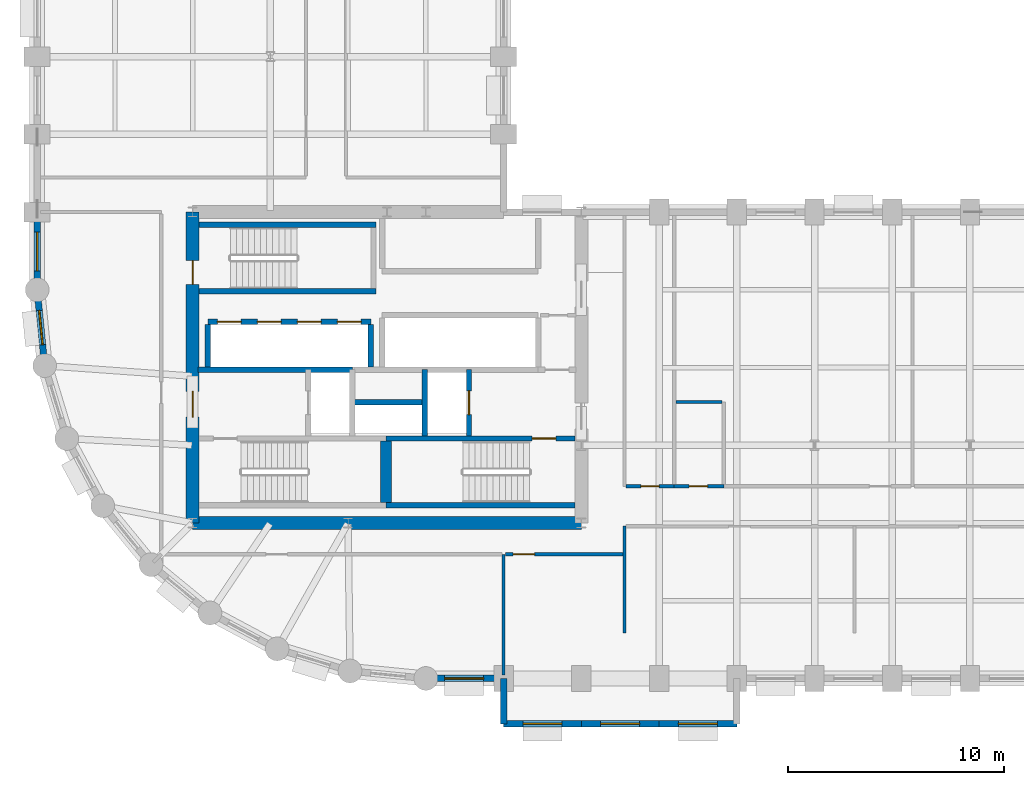
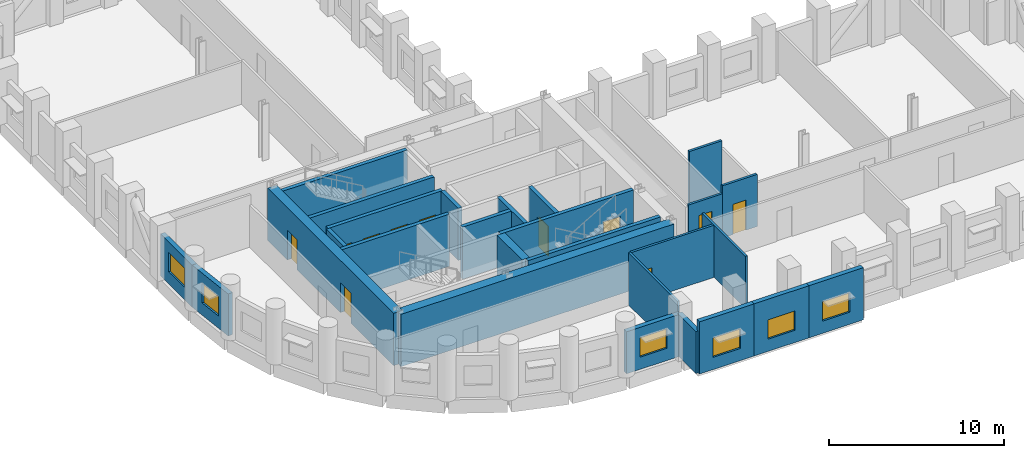
# One storey, part 6 of 12: 27 walls, 11 doors, 6 windows, 17 openings.
"""IFC4 building model written with IfcOpenShell, lengths in metres."""

from ifc_helpers import new_model, si_unit, direction, frame, frame_2d, origin, place, context, subcontext, project, spatial, rectangle, extrude, material, layer, layer_set, type_object, element, fill, save


model = new_model("IFC4")

# Units and contexts
model_context = context("Model", 3, precision=1e-05, world=origin(), true_north=direction((0.0, 1.0)))
body_context = subcontext(model_context, "Body", "Model", "MODEL_VIEW")
ifc_project = project(units=[si_unit("LENGTHUNIT", "METRE"), si_unit("AREAUNIT", "SQUARE_METRE"), si_unit("VOLUMEUNIT", "CUBIC_METRE"), si_unit("PLANEANGLEUNIT", "RADIAN"), si_unit("MASSUNIT", "GRAM", prefix="KILO")], contexts=[model_context])

# Site, building, storey
site_placement = place(None, origin())
site = spatial("IfcSite", under=ifc_project, at=site_placement, CompositionType="ELEMENT")
building_placement = place(site_placement, origin())
building = spatial("IfcBuilding", under=site, at=building_placement, Name="Solnavia Interchange Tower", CompositionType="ELEMENT")
storey_placement = place(building_placement, frame((0.0, 0.0, 31.800048828125)))
storey = spatial("IfcBuildingStorey", under=building, at=storey_placement, Name="L07", CompositionType="ELEMENT", Elevation=31.800048828125)

# Wall, opening, window
ifc_material_1 = material(Name="Concrete C40/50", Category="concrete")
ifc_layer_1 = layer(ifc_material_1, 0.300048828125)
ifc_layer_set_1 = layer_set([ifc_layer_1], Name="Concrete C40/50")
wall_type_1 = type_object("IfcWallType", Name="Wall-ExtSpandrel-300", PredefinedType="STANDARD", material=ifc_layer_set_1)
wall_1_placement = place(storey_placement, frame((28.800048828125, 3.60009765625, 0.0), z_axis=(0.0, 0.0, 1.0), x_axis=(-1.0, 0.0, 0.0)))
wall_1 = element("IfcWall", 1, at=wall_1_placement, inside=storey, type_object=wall_type_1, Name="EXW-L07-01 Exterior precast spandrel wall", PredefinedType="STANDARD", context=body_context, shape_type="SweptSolid", body=[
    extrude(rectangle(XDim=3.60009765625, YDim=0.300048828125, at=frame_2d((1.800048828125, 0.0))), origin(), (0.0, 0.0, 1.0), 2.929931640625),
])
opening_1_placement = place(wall_1_placement, frame((0.925048828125, 0.0, 0.85009765625)))
opening_1 = element("IfcOpeningElement", 2, at=opening_1_placement, cuts=wall_1, Name="Opening WIN-02", PredefinedType="OPENING", context=body_context, shape_type="SweptSolid", body=[
    extrude(rectangle(XDim=1.800048828125, YDim=1.35009765625, at=frame_2d((0.89990234375, 0.675048828125))), frame((0.0, 0.16015625, 0.0), z_axis=(0.0, -1.0, 0.0), x_axis=(1.0, 0.0, 0.0)), (0.0, 0.0, 1.0), 0.320068359375),
])
ifc_material_2 = material(Name="Thermal-Break Aluminium & Low-E Glass", Category="aluminium")
window_type_1 = type_object("IfcWindowType", Name="Window-Ribbon-1800x1350", PartitioningType="SINGLE_PANEL", PredefinedType="WINDOW", material=ifc_material_2)
window_1_placement = place(opening_1_placement, origin())
window_1 = element("IfcWindow", 3, at=window_1_placement, inside=storey, type_object=window_type_1, Name="WIN-L07-01 Facade ribbon window", OverallHeight=1.35009765625, OverallWidth=1.800048828125, PartitioningType="SINGLE_PANEL", PredefinedType="WINDOW", context=body_context, shape_type="SweptSolid", body=[
    extrude(rectangle(XDim=1.800048828125, YDim=1.35009765625, at=frame_2d((0.89990234375, 0.675048828125))), frame((0.0, 0.030029296875, 0.0), z_axis=(0.0, -1.0, 0.0), x_axis=(1.0, 0.0, 0.0)), (0.0, 0.0, 1.0), 0.06005859375),
])
fill(opening_1, window_1)

# Wall
wall_2_placement = place(storey_placement, frame((28.800048828125, 1.5, 0.0), z_axis=(0.0, 0.0, 1.0), x_axis=(0.0, 1.0, 0.0)))
element("IfcWall", 4, at=wall_2_placement, inside=storey, type_object=wall_type_1, Name="EXW-L07-02 Exterior precast spandrel wall", PredefinedType="STANDARD", context=body_context, shape_type="SweptSolid", body=[
    extrude(rectangle(XDim=2.10009765625, YDim=0.300048828125, at=frame_2d((1.050048828125, 0.0))), origin(), (0.0, 0.0, 1.0), 2.929931640625),
])

# Wall, opening, window
wall_3_placement = place(storey_placement, frame((32.39990234375, 1.5, 0.0), z_axis=(0.0, 0.0, 1.0), x_axis=(-1.0, 0.0, 0.0)))
wall_3 = element("IfcWall", 5, at=wall_3_placement, inside=storey, type_object=wall_type_1, Name="EXW-L07-03 Exterior precast spandrel wall", PredefinedType="STANDARD", context=body_context, shape_type="SweptSolid", body=[
    extrude(rectangle(XDim=3.599853515625, YDim=0.300048828125, at=frame_2d((1.7998046875, 0.0))), origin(), (0.0, 0.0, 1.0), 3.635009765625),
])
opening_2_placement = place(wall_3_placement, frame((0.89990234375, 0.0, 0.85009765625)))
opening_2 = element("IfcOpeningElement", 6, at=opening_2_placement, cuts=wall_3, Name="Opening WIN-02", PredefinedType="OPENING", context=body_context, shape_type="SweptSolid", body=[
    extrude(rectangle(XDim=1.800048828125, YDim=1.35009765625, at=frame_2d((0.89990234375, 0.675048828125))), frame((0.0, 0.16015625, 0.0), z_axis=(0.0, -1.0, 0.0), x_axis=(1.0, 0.0, 0.0)), (0.0, 0.0, 1.0), 0.320068359375),
])
window_2_placement = place(opening_2_placement, origin())
window_2 = element("IfcWindow", 7, at=window_2_placement, inside=storey, type_object=window_type_1, Name="WIN-L07-03 Facade ribbon window", OverallHeight=1.35009765625, OverallWidth=1.800048828125, PartitioningType="SINGLE_PANEL", PredefinedType="WINDOW", context=body_context, shape_type="SweptSolid", body=[
    extrude(rectangle(XDim=1.800048828125, YDim=1.35009765625, at=frame_2d((0.89990234375, 0.675048828125))), frame((0.0, 0.030029296875, 0.0), z_axis=(0.0, -1.0, 0.0), x_axis=(1.0, 0.0, 0.0)), (0.0, 0.0, 1.0), 0.06005859375),
])
fill(opening_2, window_2)

wall_4_placement = place(storey_placement, frame((36.0, 1.5, 0.0), z_axis=(0.0, 0.0, 1.0), x_axis=(-1.0, 0.0, 0.0)))
wall_4 = element("IfcWall", 8, at=wall_4_placement, inside=storey, type_object=wall_type_1, Name="EXW-L07-04 Exterior precast spandrel wall", PredefinedType="STANDARD", context=body_context, shape_type="SweptSolid", body=[
    extrude(rectangle(XDim=3.60009765625, YDim=0.300048828125, at=frame_2d((1.800048828125, 0.0))), origin(), (0.0, 0.0, 1.0), 3.635009765625),
])
opening_3_placement = place(wall_4_placement, frame((0.89990234375, 0.0, 0.85009765625)))
opening_3 = element("IfcOpeningElement", 9, at=opening_3_placement, cuts=wall_4, Name="Opening WIN-02", PredefinedType="OPENING", context=body_context, shape_type="SweptSolid", body=[
    extrude(rectangle(XDim=1.800048828125, YDim=1.35009765625, at=frame_2d((0.89990234375, 0.675048828125))), frame((0.0, 0.16015625, 0.0), z_axis=(0.0, -1.0, 0.0), x_axis=(1.0, 0.0, 0.0)), (0.0, 0.0, 1.0), 0.320068359375),
])
window_3_placement = place(opening_3_placement, origin())
window_3 = element("IfcWindow", 10, at=window_3_placement, inside=storey, type_object=window_type_1, Name="WIN-L07-04 Facade ribbon window", OverallHeight=1.35009765625, OverallWidth=1.800048828125, PartitioningType="SINGLE_PANEL", PredefinedType="WINDOW", context=body_context, shape_type="SweptSolid", body=[
    extrude(rectangle(XDim=1.800048828125, YDim=1.35009765625, at=frame_2d((0.89990234375, 0.675048828125))), frame((0.0, 0.030029296875, 0.0), z_axis=(0.0, -1.0, 0.0), x_axis=(1.0, 0.0, 0.0)), (0.0, 0.0, 1.0), 0.06005859375),
])
fill(opening_3, window_3)

wall_5_placement = place(storey_placement, frame((39.60009765625, 1.5, 0.0), z_axis=(0.0, 0.0, 1.0), x_axis=(-1.0, 0.0, 0.0)))
wall_5 = element("IfcWall", 11, at=wall_5_placement, inside=storey, type_object=wall_type_1, Name="EXW-L07-05 Exterior precast spandrel wall", PredefinedType="STANDARD", context=body_context, shape_type="SweptSolid", body=[
    extrude(rectangle(XDim=3.60009765625, YDim=0.300048828125, at=frame_2d((1.800048828125, 0.0))), origin(), (0.0, 0.0, 1.0), 3.635009765625),
])
opening_4_placement = place(wall_5_placement, frame((0.89990234375, 0.0, 0.85009765625)))
opening_4 = element("IfcOpeningElement", 12, at=opening_4_placement, cuts=wall_5, Name="Opening WIN-02", PredefinedType="OPENING", context=body_context, shape_type="SweptSolid", body=[
    extrude(rectangle(XDim=1.800048828125, YDim=1.35009765625, at=frame_2d((0.89990234375, 0.675048828125))), frame((0.0, 0.16015625, 0.0), z_axis=(0.0, -1.0, 0.0), x_axis=(1.0, 0.0, 0.0)), (0.0, 0.0, 1.0), 0.320068359375),
])
window_4_placement = place(opening_4_placement, origin())
window_4 = element("IfcWindow", 13, at=window_4_placement, inside=storey, type_object=window_type_1, Name="WIN-L07-05 Facade ribbon window", OverallHeight=1.35009765625, OverallWidth=1.800048828125, PartitioningType="SINGLE_PANEL", PredefinedType="WINDOW", context=body_context, shape_type="SweptSolid", body=[
    extrude(rectangle(XDim=1.800048828125, YDim=1.35009765625, at=frame_2d((0.89990234375, 0.675048828125))), frame((0.0, 0.030029296875, 0.0), z_axis=(0.0, -1.0, 0.0), x_axis=(1.0, 0.0, 0.0)), (0.0, 0.0, 1.0), 0.06005859375),
])
fill(opening_4, window_4)

wall_6_placement = place(storey_placement, frame((7.199951171875, 21.60009765625, 0.0), z_axis=(0.0, 0.0, 1.0), x_axis=(0.0, 1.0, 0.0)))
wall_6 = element("IfcWall", 14, at=wall_6_placement, inside=storey, type_object=wall_type_1, Name="EXW-L07-56 Exterior precast spandrel wall", PredefinedType="STANDARD", context=body_context, shape_type="SweptSolid", body=[
    extrude(rectangle(XDim=3.599853515625, YDim=0.300048828125, at=frame_2d((1.7998046875, 0.0))), origin(), (0.0, 0.0, 1.0), 2.929931640625),
])
opening_5_placement = place(wall_6_placement, frame((0.875, 0.0, 0.85009765625)))
opening_5 = element("IfcOpeningElement", 15, at=opening_5_placement, cuts=wall_6, Name="Opening WIN-02", PredefinedType="OPENING", context=body_context, shape_type="SweptSolid", body=[
    extrude(rectangle(XDim=1.800048828125, YDim=1.35009765625, at=frame_2d((0.89990234375, 0.675048828125))), frame((0.0, 0.16015625, 0.0), z_axis=(0.0, -1.0, 0.0), x_axis=(1.0, 0.0, 0.0)), (0.0, 0.0, 1.0), 0.320068359375),
])
window_5_placement = place(opening_5_placement, origin())
window_5 = element("IfcWindow", 16, at=window_5_placement, inside=storey, type_object=window_type_1, Name="WIN-L07-56 Facade ribbon window", OverallHeight=1.35009765625, OverallWidth=1.800048828125, PartitioningType="SINGLE_PANEL", PredefinedType="WINDOW", context=body_context, shape_type="SweptSolid", body=[
    extrude(rectangle(XDim=1.800048828125, YDim=1.35009765625, at=frame_2d((0.89990234375, 0.675048828125))), frame((0.0, 0.030029296875, 0.0), z_axis=(0.0, -1.0, 0.0), x_axis=(1.0, 0.0, 0.0)), (0.0, 0.0, 1.0), 0.06005859375),
])
fill(opening_5, window_5)

wall_7_placement = place(storey_placement, frame((7.5458984375, 18.087890625, 0.0), z_axis=(0.0, 0.0, 1.0), x_axis=(-0.09802417461, 0.995184033831, 0.0)))
wall_7 = element("IfcWall", 17, at=wall_7_placement, inside=storey, type_object=wall_type_1, Name="EXW-L07-57 Exterior precast spandrel wall", PredefinedType="STANDARD", context=body_context, shape_type="SweptSolid", body=[
    extrude(rectangle(XDim=3.529296875, YDim=0.300048828125, at=frame_2d((1.7646484375, 0.0))), origin(), (0.0, 0.0, 1.0), 2.929931640625),
])
opening_6_placement = place(wall_7_placement, frame((0.965087890625, 0.0, 0.85009765625)))
opening_6 = element("IfcOpeningElement", 18, at=opening_6_placement, cuts=wall_7, Name="Opening WIN-04", PredefinedType="OPENING", context=body_context, shape_type="SweptSolid", body=[
    extrude(rectangle(XDim=1.60009765625, YDim=1.35009765625, at=frame_2d((0.800048828125, 0.675048828125))), frame((0.0, 0.16015625, 0.0), z_axis=(0.0, -1.0, 0.0), x_axis=(1.0, 0.0, 0.0)), (0.0, 0.0, 1.0), 0.320068359375),
])
window_type_2 = type_object("IfcWindowType", Name="Window-Drum-1600x1350", PartitioningType="SINGLE_PANEL", PredefinedType="WINDOW", material=ifc_material_2)
window_6_placement = place(opening_6_placement, origin())
window_6 = element("IfcWindow", 19, at=window_6_placement, inside=storey, type_object=window_type_2, Name="WIN-L07-57 Facade ribbon window", OverallHeight=1.35009765625, OverallWidth=1.60009765625, PartitioningType="SINGLE_PANEL", PredefinedType="WINDOW", context=body_context, shape_type="SweptSolid", body=[
    extrude(rectangle(XDim=1.60009765625, YDim=1.35009765625, at=frame_2d((0.800048828125, 0.675048828125))), frame((0.0, 0.030029296875, 0.0), z_axis=(0.0, -1.0, 0.0), x_axis=(1.0, 0.0, 0.0)), (0.0, 0.0, 1.0), 0.06005859375),
])
fill(opening_6, window_6)

# Wall
ifc_material_3 = material(Name="Gypsum Plasterboard & Steel Stud", Category="steel")
ifc_layer_2 = layer(ifc_material_3, 0.14990234375)
ifc_layer_set_2 = layer_set([ifc_layer_2], Name="Gypsum Plasterboard & Steel Stud")
wall_type_2 = type_object("IfcWallType", Name="Wall-Partition-150", PredefinedType="PARTITIONING", material=ifc_layer_set_2)
wall_8_placement = place(storey_placement, frame((28.800048828125, 9.35009765625, 0.0), z_axis=(0.0, 0.0, 1.0), x_axis=(0.0, -1.0, 0.0)))
element("IfcWall", 20, at=wall_8_placement, inside=storey, type_object=wall_type_2, Name="PTW-L07-08 Interior partition wall", PredefinedType="PARTITIONING", context=body_context, shape_type="SweptSolid", body=[
    extrude(rectangle(XDim=5.59619140625, YDim=0.14990234375, at=frame_2d((2.798095703125, 0.0))), origin(), (0.0, 0.0, 1.0), 3.635009765625),
])

# Wall, opening, door
wall_9_placement = place(storey_placement, frame((28.87890625, 9.35009765625, 0.0), z_axis=(0.0, 0.0, 1.0), x_axis=(1.0, 0.0, 0.0)))
wall_9 = element("IfcWall", 21, at=wall_9_placement, inside=storey, type_object=wall_type_2, Name="PTW-L07-12 Interior partition wall", PredefinedType="PARTITIONING", context=body_context, shape_type="SweptSolid", body=[
    extrude(rectangle(XDim=5.52099609375, YDim=0.14990234375, at=frame_2d((2.760498046875, 0.0))), origin(), (0.0, 0.0, 1.0), 3.635009765625),
])
opening_7_placement = place(wall_9_placement, frame((0.360107421875, 0.0, 0.0)))
opening_7 = element("IfcOpeningElement", 22, at=opening_7_placement, cuts=wall_9, Name="Opening DR-07", PredefinedType="OPENING", context=body_context, shape_type="SweptSolid", body=[
    extrude(rectangle(XDim=1.0, YDim=2.10009765625, at=frame_2d((0.5, 1.050048828125))), frame((0.0, 0.0849609375, 0.0), z_axis=(0.0, -1.0, 0.0), x_axis=(1.0, 0.0, 0.0)), (0.0, 0.0, 1.0), 0.169921875),
])
ifc_material_4 = material(Name="Timber & Acoustic Glazed Office Door", Category="wood")
door_type_1 = type_object("IfcDoorType", Name="Door-Office-1000x2100", OperationType="SINGLE_SWING_RIGHT", PredefinedType="DOOR", material=ifc_material_4)
door_1_placement = place(opening_7_placement, origin())
door_1 = element("IfcDoor", 23, at=door_1_placement, inside=storey, type_object=door_type_1, Name="DR-L07-05 Interior room door", OperationType="SINGLE_SWING_LEFT", OverallHeight=2.10009765625, OverallWidth=1.0, PredefinedType="DOOR", context=body_context, shape_type="SweptSolid", body=[
    extrude(rectangle(XDim=1.0, YDim=2.10009765625, at=frame_2d((0.5, 1.050048828125))), frame((0.0, 0.02490234375, 0.0), z_axis=(0.0, -1.0, 0.0), x_axis=(1.0, 0.0, 0.0)), (0.0, 0.0, 1.0), 0.050048828125),
])
fill(opening_7, door_1)

# Walls
wall_10_placement = place(storey_placement, frame((34.39990234375, 5.699951171875, 0.0), z_axis=(0.0, 0.0, 1.0), x_axis=(0.0, 1.0, 0.0)))
element("IfcWall", 24, at=wall_10_placement, inside=storey, type_object=wall_type_2, Name="PTW-L07-13 Interior partition wall", PredefinedType="PARTITIONING", context=body_context, shape_type="SweptSolid", body=[
    extrude(rectangle(XDim=4.949951171875, YDim=0.14990234375, at=frame_2d((2.47509765625, 0.0))), origin(), (0.0, 0.0, 1.0), 3.635009765625),
])
ifc_layer_3 = layer(ifc_material_1, 0.25)
ifc_layer_set_3 = layer_set([ifc_layer_3], Name="Concrete C40/50")
wall_type_3 = type_object("IfcWallType", Name="Wall-ShaftCore-250", PredefinedType="SHEAR", material=ifc_layer_set_3)
wall_11_placement = place(storey_placement, frame((23.35009765625, 11.625, 0.0), z_axis=(0.0, 0.0, 1.0), x_axis=(1.0, 0.0, 0.0)))
element("IfcWall", 25, at=wall_11_placement, inside=storey, type_object=wall_type_3, Name="SHW-L07-ST2S Core shear wall", PredefinedType="SHEAR", context=body_context, shape_type="SweptSolid", body=[
    extrude(rectangle(XDim=8.75, YDim=0.25, at=frame_2d((4.375, 0.0))), origin(), (0.0, 0.0, 1.0), 3.64990234375),
])

# Wall, opening, door
wall_12_placement = place(storey_placement, frame((23.35009765625, 14.715087890625, 0.0), z_axis=(0.0, 0.0, 1.0), x_axis=(1.0, 0.0, 0.0)))
wall_12 = element("IfcWall", 26, at=wall_12_placement, inside=storey, type_object=wall_type_3, Name="SHW-L07-ST2N Core shear wall", PredefinedType="SHEAR", context=body_context, shape_type="SweptSolid", body=[
    extrude(rectangle(XDim=8.75, YDim=0.25, at=frame_2d((4.375, 0.0))), origin(), (0.0, 0.0, 1.0), 3.64990234375),
])
opening_8_placement = place(wall_12_placement, frame((6.77490234375, 0.0, 0.0)))
opening_8 = element("IfcOpeningElement", 27, at=opening_8_placement, cuts=wall_12, Name="Opening DR-01", PredefinedType="OPENING", context=body_context, shape_type="SweptSolid", body=[
    extrude(rectangle(XDim=1.10009765625, YDim=2.10009765625, at=frame_2d((0.550048828125, 1.050048828125))), frame((0.0, 0.135009765625, 0.0), z_axis=(0.0, -1.0, 0.0), x_axis=(1.0, 0.0, 0.0)), (0.0, 0.0, 1.0), 0.27001953125),
])
ifc_material_5 = material(Name="Steel Fire-Rated Leaf & Frame", Category="steel")
door_type_2 = type_object("IfcDoorType", Name="Door-StairFire-1100x2100", OperationType="SINGLE_SWING_LEFT", PredefinedType="DOOR", material=ifc_material_5)
door_2_placement = place(opening_8_placement, origin())
door_2 = element("IfcDoor", 28, at=door_2_placement, inside=storey, type_object=door_type_2, Name="DR-L07-ST2 Core fire door", OperationType="SINGLE_SWING_LEFT", OverallHeight=2.10009765625, OverallWidth=1.10009765625, PredefinedType="DOOR", context=body_context, shape_type="SweptSolid", body=[
    extrude(rectangle(XDim=1.10009765625, YDim=2.10009765625, at=frame_2d((0.550048828125, 1.050048828125))), frame((0.0, 0.02490234375, 0.0), z_axis=(0.0, -1.0, 0.0), x_axis=(1.0, 0.0, 0.0)), (0.0, 0.0, 1.0), 0.050048828125),
])
fill(opening_8, door_2)

# Walls
for number, where, z_axis, x_axis, name in (
    (29, (14.699951171875, 21.52490234375, 0.0), (0.0, 0.0, 1.0), (1.0, 0.0, 0.0), "SHW-L07-ST3S Core shear wall"),
    (30, (14.699951171875, 24.614990234375, 0.0), (0.0, 0.0, 1.0), (1.0, 0.0, 0.0), "SHW-L07-ST3N Core shear wall"),
):
    element("IfcWall", number, at=place(storey_placement, frame(where, z_axis=z_axis, x_axis=x_axis)), inside=storey, type_object=wall_type_3, Name=name, PredefinedType="SHEAR", context=body_context, shape_type="SweptSolid", body=[
        extrude(rectangle(XDim=8.199951171875, YDim=0.25, at=frame_2d((4.10009765625, 0.0))), origin(), (0.0, 0.0, 1.0), 3.64990234375),
    ])
ifc_layer_4 = layer(ifc_material_1, 0.25)
ifc_layer_set_4 = layer_set([ifc_layer_4], Name="Concrete C40/50")
wall_type_4 = type_object("IfcWallType", Name="Wall-ShaftPart-250", PredefinedType="PARTITIONING", material=ifc_layer_set_4)
wall_13_placement = place(storey_placement, frame((14.64990234375, 17.89990234375, 0.0), z_axis=(0.0, 0.0, 1.0), x_axis=(1.0, 0.0, 0.0)))
element("IfcWall", 31, at=wall_13_placement, inside=storey, type_object=wall_type_4, Name="SHW-L07-FFLW-N Core shaft wall", PredefinedType="PARTITIONING", context=body_context, shape_type="SweptSolid", body=[
    extrude(rectangle(XDim=7.150146484375, YDim=0.25, at=frame_2d((3.5751953125, 0.0))), origin(), (0.0, 0.0, 1.0), 3.635009765625),
])
wall_14_placement = place(storey_placement, frame((25.14990234375, 14.840087890625, 0.0), z_axis=(0.0, 0.0, 1.0), x_axis=(0.0, 1.0, 0.0)))
element("IfcWall", 32, at=wall_14_placement, inside=storey, type_object=wall_type_4, Name="SHW-L07-FFL2-W Core shaft wall", PredefinedType="PARTITIONING", context=body_context, shape_type="SweptSolid", body=[
    extrude(rectangle(XDim=3.059814453125, YDim=0.25, at=frame_2d((1.52978515625, 0.0))), origin(), (0.0, 0.0, 1.0), 3.635009765625),
])

# Wall, opening, door
wall_15_placement = place(storey_placement, frame((27.199951171875, 14.840087890625, 0.0), z_axis=(0.0, 0.0, 1.0), x_axis=(0.0, 1.0, 0.0)))
wall_15 = element("IfcWall", 33, at=wall_15_placement, inside=storey, type_object=wall_type_4, Name="SHW-L07-FFL2-E Core shaft wall", PredefinedType="PARTITIONING", context=body_context, shape_type="SweptSolid", body=[
    extrude(rectangle(XDim=3.059814453125, YDim=0.25, at=frame_2d((1.52978515625, 0.0))), origin(), (0.0, 0.0, 1.0), 3.635009765625),
])
opening_9_placement = place(wall_15_placement, frame((0.97998046875, 0.0, 0.0)))
opening_9 = element("IfcOpeningElement", 34, at=opening_9_placement, cuts=wall_15, Name="Opening LD-01", PredefinedType="OPENING", context=body_context, shape_type="SweptSolid", body=[
    extrude(rectangle(XDim=1.10009765625, YDim=2.10009765625, at=frame_2d((0.550048828125, 1.050048828125))), frame((0.0, 0.135009765625, 0.0), z_axis=(0.0, -1.0, 0.0), x_axis=(1.0, 0.0, 0.0)), (0.0, 0.0, 1.0), 0.27001953125),
])
ifc_material_6 = material(Name="Brushed Stainless Steel Sliding Door", Category="steel")
door_type_3 = type_object("IfcDoorType", Name="Door-LiftLanding-1100x2100", OperationType="SLIDING_TO_LEFT", PredefinedType="DOOR", material=ifc_material_6)
door_3_placement = place(opening_9_placement, origin())
door_3 = element("IfcDoor", 35, at=door_3_placement, inside=storey, type_object=door_type_3, Name="LD-L07-FFL2 Lift landing sliding door", OperationType="SLIDING_TO_LEFT", OverallHeight=2.10009765625, OverallWidth=1.10009765625, PredefinedType="DOOR", context=body_context, shape_type="SweptSolid", body=[
    extrude(rectangle(XDim=1.10009765625, YDim=2.10009765625, at=frame_2d((0.550048828125, 1.050048828125))), frame((0.0, 0.02490234375, 0.0), z_axis=(0.0, -1.0, 0.0), x_axis=(1.0, 0.0, 0.0)), (0.0, 0.0, 1.0), 0.050048828125),
])
fill(opening_9, door_3)

# Wall
wall_16_placement = place(storey_placement, frame((21.800048828125, 16.39990234375, 0.0), z_axis=(0.0, 0.0, 1.0), x_axis=(1.0, 0.0, 0.0)))
element("IfcWall", 36, at=wall_16_placement, inside=storey, type_object=wall_type_4, Name="SHW-L07-MEP-N Core shaft wall", PredefinedType="PARTITIONING", context=body_context, shape_type="SweptSolid", body=[
    extrude(rectangle(XDim=3.349853515625, YDim=0.25, at=frame_2d((1.6748046875, 0.0))), origin(), (0.0, 0.0, 1.0), 3.635009765625),
])

# Wall, openings, doors
wall_17_placement = place(storey_placement, frame((15.10009765625, 20.125, 0.0), z_axis=(0.0, 0.0, 1.0), x_axis=(1.0, 0.0, 0.0)))
wall_17 = element("IfcWall", 37, at=wall_17_placement, inside=storey, type_object=wall_type_4, Name="SHW-L07-B1N Core shaft wall", PredefinedType="PARTITIONING", context=body_context, shape_type="SweptSolid", body=[
    extrude(rectangle(XDim=7.5498046875, YDim=0.25, at=frame_2d((3.77490234375, 0.0))), origin(), (0.0, 0.0, 1.0), 3.635009765625),
])
opening_10_placement = place(wall_17_placement, frame((0.449951171875, 0.0, 0.0)))
opening_10 = element("IfcOpeningElement", 38, at=opening_10_placement, cuts=wall_17, Name="Opening LD-01", PredefinedType="OPENING", context=body_context, shape_type="SweptSolid", body=[
    extrude(rectangle(XDim=1.10009765625, YDim=2.10009765625, at=frame_2d((0.550048828125, 1.050048828125))), frame((0.0, 0.135009765625, 0.0), z_axis=(0.0, -1.0, 0.0), x_axis=(1.0, 0.0, 0.0)), (0.0, 0.0, 1.0), 0.27001953125),
])
opening_11_placement = place(wall_17_placement, frame((2.300048828125, 0.0, 0.0)))
opening_11 = element("IfcOpeningElement", 39, at=opening_11_placement, cuts=wall_17, Name="Opening LD-01", PredefinedType="OPENING", context=body_context, shape_type="SweptSolid", body=[
    extrude(rectangle(XDim=1.10009765625, YDim=2.10009765625, at=frame_2d((0.550048828125, 1.050048828125))), frame((0.0, 0.135009765625, 0.0), z_axis=(0.0, -1.0, 0.0), x_axis=(1.0, 0.0, 0.0)), (0.0, 0.0, 1.0), 0.27001953125),
])
opening_12_placement = place(wall_17_placement, frame((4.14990234375, 0.0, 0.0)))
opening_12 = element("IfcOpeningElement", 40, at=opening_12_placement, cuts=wall_17, Name="Opening LD-01", PredefinedType="OPENING", context=body_context, shape_type="SweptSolid", body=[
    extrude(rectangle(XDim=1.10009765625, YDim=2.10009765625, at=frame_2d((0.550048828125, 1.050048828125))), frame((0.0, 0.135009765625, 0.0), z_axis=(0.0, -1.0, 0.0), x_axis=(1.0, 0.0, 0.0)), (0.0, 0.0, 1.0), 0.27001953125),
])
opening_13_placement = place(wall_17_placement, frame((6.0, 0.0, 0.0)))
opening_13 = element("IfcOpeningElement", 41, at=opening_13_placement, cuts=wall_17, Name="Opening LD-01", PredefinedType="OPENING", context=body_context, shape_type="SweptSolid", body=[
    extrude(rectangle(XDim=1.10009765625, YDim=2.10009765625, at=frame_2d((0.550048828125, 1.050048828125))), frame((0.0, 0.135009765625, 0.0), z_axis=(0.0, -1.0, 0.0), x_axis=(1.0, 0.0, 0.0)), (0.0, 0.0, 1.0), 0.27001953125),
])
door_4_placement = place(opening_10_placement, origin())
door_4 = element("IfcDoor", 42, at=door_4_placement, inside=storey, type_object=door_type_3, Name="LD-L07-B1-1 Lift landing sliding door", OperationType="SLIDING_TO_LEFT", OverallHeight=2.10009765625, OverallWidth=1.10009765625, PredefinedType="DOOR", context=body_context, shape_type="SweptSolid", body=[
    extrude(rectangle(XDim=1.10009765625, YDim=2.10009765625, at=frame_2d((0.550048828125, 1.050048828125))), frame((0.0, 0.02490234375, 0.0), z_axis=(0.0, -1.0, 0.0), x_axis=(1.0, 0.0, 0.0)), (0.0, 0.0, 1.0), 0.050048828125),
])
fill(opening_10, door_4)
door_5_placement = place(opening_11_placement, origin())
door_5 = element("IfcDoor", 43, at=door_5_placement, inside=storey, type_object=door_type_3, Name="LD-L07-B1-2 Lift landing sliding door", OperationType="SLIDING_TO_LEFT", OverallHeight=2.10009765625, OverallWidth=1.10009765625, PredefinedType="DOOR", context=body_context, shape_type="SweptSolid", body=[
    extrude(rectangle(XDim=1.10009765625, YDim=2.10009765625, at=frame_2d((0.550048828125, 1.050048828125))), frame((0.0, 0.02490234375, 0.0), z_axis=(0.0, -1.0, 0.0), x_axis=(1.0, 0.0, 0.0)), (0.0, 0.0, 1.0), 0.050048828125),
])
fill(opening_11, door_5)
door_6_placement = place(opening_12_placement, origin())
door_6 = element("IfcDoor", 44, at=door_6_placement, inside=storey, type_object=door_type_3, Name="LD-L07-B1-3 Lift landing sliding door", OperationType="SLIDING_TO_LEFT", OverallHeight=2.10009765625, OverallWidth=1.10009765625, PredefinedType="DOOR", context=body_context, shape_type="SweptSolid", body=[
    extrude(rectangle(XDim=1.10009765625, YDim=2.10009765625, at=frame_2d((0.550048828125, 1.050048828125))), frame((0.0, 0.02490234375, 0.0), z_axis=(0.0, -1.0, 0.0), x_axis=(1.0, 0.0, 0.0)), (0.0, 0.0, 1.0), 0.050048828125),
])
fill(opening_12, door_6)
door_7_placement = place(opening_13_placement, origin())
door_7 = element("IfcDoor", 45, at=door_7_placement, inside=storey, type_object=door_type_3, Name="LD-L07-B1-4 Lift landing sliding door", OperationType="SLIDING_TO_LEFT", OverallHeight=2.10009765625, OverallWidth=1.10009765625, PredefinedType="DOOR", context=body_context, shape_type="SweptSolid", body=[
    extrude(rectangle(XDim=1.10009765625, YDim=2.10009765625, at=frame_2d((0.550048828125, 1.050048828125))), frame((0.0, 0.02490234375, 0.0), z_axis=(0.0, -1.0, 0.0), x_axis=(1.0, 0.0, 0.0)), (0.0, 0.0, 1.0), 0.050048828125),
])
fill(opening_13, door_7)

# Walls
for number, where, z_axis, x_axis, name in (
    (46, (15.10009765625, 18.02490234375, 0.0), (0.0, 0.0, 1.0), (0.0, 1.0, 0.0), "SHW-L07-B1W Core shaft wall"),
    (47, (22.64990234375, 18.02490234375, 0.0), (0.0, 0.0, 1.0), (0.0, 1.0, 0.0), "SHW-L07-B1E Core shaft wall"),
):
    element("IfcWall", number, at=place(storey_placement, frame(where, z_axis=z_axis, x_axis=x_axis)), inside=storey, type_object=wall_type_4, Name=name, PredefinedType="PARTITIONING", context=body_context, shape_type="SweptSolid", body=[
        extrude(rectangle(XDim=1.97509765625, YDim=0.25, at=frame_2d((0.987548828125, 0.0))), origin(), (0.0, 0.0, 1.0), 3.635009765625),
    ])
ifc_material_7 = material(Name="Concrete C60/75", Category="concrete")
ifc_layer_5 = layer(ifc_material_7, 0.5)
ifc_layer_set_5 = layer_set([ifc_layer_5], Name="Concrete C60/75")
wall_type_5 = type_object("IfcWallType", Name="Wall-ShearCore-500", PredefinedType="SHEAR", material=ifc_layer_set_5)
wall_18_placement = place(storey_placement, frame((23.35009765625, 11.75, 0.0), z_axis=(0.0, 0.0, 1.0), x_axis=(0.0, 1.0, 0.0)))
element("IfcWall", 48, at=wall_18_placement, inside=storey, type_object=wall_type_5, Name="SHW-L07-ST12M Core shear wall", PredefinedType="SHEAR", context=body_context, shape_type="SweptSolid", body=[
    extrude(rectangle(XDim=2.840087890625, YDim=0.5, at=frame_2d((1.419921875, 0.0))), origin(), (0.0, 0.0, 1.0), 3.64990234375),
])
ifc_layer_6 = layer(ifc_material_7, 0.60009765625)
ifc_layer_set_6 = layer_set([ifc_layer_6], Name="Concrete C60/75")
wall_type_6 = type_object("IfcWallType", Name="Wall-ShearCore-600", PredefinedType="SHEAR", material=ifc_layer_set_6)
wall_19_placement = place(storey_placement, frame((14.39990234375, 10.800048828125, 0.0), z_axis=(0.0, 0.0, 1.0), x_axis=(1.0, 0.0, 0.0)))
element("IfcWall", 49, at=wall_19_placement, inside=storey, type_object=wall_type_6, Name="CRW-L07-S Core shear wall", PredefinedType="SHEAR", context=body_context, shape_type="SweptSolid", body=[
    extrude(rectangle(XDim=18.0, YDim=0.60009765625, at=frame_2d((9.0, 0.0))), origin(), (0.0, 0.0, 1.0), 3.64990234375),
])

# Wall, openings, doors
wall_20_placement = place(storey_placement, frame((14.39990234375, 10.800048828125, 0.0), z_axis=(0.0, 0.0, 1.0), x_axis=(0.0, 1.0, 0.0)))
wall_20 = element("IfcWall", 50, at=wall_20_placement, inside=storey, type_object=wall_type_6, Name="CRW-L07-W Core shear wall", PredefinedType="SHEAR", context=body_context, shape_type="SweptSolid", body=[
    extrude(rectangle(XDim=14.39990234375, YDim=0.60009765625, at=frame_2d((7.199951171875, 0.0))), origin(), (0.0, 0.0, 1.0), 3.64990234375),
])
opening_14_placement = place(wall_20_placement, frame((11.050048828125, 0.0, 0.0)))
opening_14 = element("IfcOpeningElement", 51, at=opening_14_placement, cuts=wall_20, Name="Opening DR-01", PredefinedType="OPENING", context=body_context, shape_type="SweptSolid", body=[
    extrude(rectangle(XDim=1.10009765625, YDim=2.10009765625, at=frame_2d((0.550048828125, 1.050048828125))), frame((0.0, 0.31005859375, 0.0), z_axis=(0.0, -1.0, 0.0), x_axis=(1.0, 0.0, 0.0)), (0.0, 0.0, 1.0), 0.6201171875),
])
opening_15_placement = place(wall_20_placement, frame((4.89990234375, 0.0, 0.0)))
opening_15 = element("IfcOpeningElement", 52, at=opening_15_placement, cuts=wall_20, Name="Opening DR-02", PredefinedType="OPENING", context=body_context, shape_type="SweptSolid", body=[
    extrude(rectangle(XDim=1.199951171875, YDim=2.10009765625, at=frame_2d((0.60009765625, 1.050048828125))), frame((0.0, 0.31005859375, 0.0), z_axis=(0.0, -1.0, 0.0), x_axis=(1.0, 0.0, 0.0)), (0.0, 0.0, 1.0), 0.6201171875),
])
ifc_material_8 = material(Name="Steel Fire-Rated Vision-Panel Door", Category="steel")
door_type_4 = type_object("IfcDoorType", Name="Door-LobbyFire-1200x2100", OperationType="SINGLE_SWING_RIGHT", PredefinedType="DOOR", material=ifc_material_8)
door_8_placement = place(opening_15_placement, origin())
door_8 = element("IfcDoor", 53, at=door_8_placement, inside=storey, type_object=door_type_4, Name="DR-L07-FFL1W Core fire door", OperationType="SINGLE_SWING_RIGHT", OverallHeight=2.10009765625, OverallWidth=1.199951171875, PredefinedType="DOOR", context=body_context, shape_type="SweptSolid", body=[
    extrude(rectangle(XDim=1.199951171875, YDim=2.10009765625, at=frame_2d((0.60009765625, 1.050048828125))), frame((0.0, 0.02490234375, 0.0), z_axis=(0.0, -1.0, 0.0), x_axis=(1.0, 0.0, 0.0)), (0.0, 0.0, 1.0), 0.050048828125),
])
fill(opening_15, door_8)
door_9_placement = place(opening_14_placement, origin())
door_9 = element("IfcDoor", 54, at=door_9_placement, inside=storey, type_object=door_type_2, Name="DR-L07-ST3 Core fire door", OperationType="SINGLE_SWING_RIGHT", OverallHeight=2.10009765625, OverallWidth=1.10009765625, PredefinedType="DOOR", context=body_context, shape_type="SweptSolid", body=[
    extrude(rectangle(XDim=1.10009765625, YDim=2.10009765625, at=frame_2d((0.550048828125, 1.050048828125))), frame((0.0, 0.02490234375, 0.0), z_axis=(0.0, -1.0, 0.0), x_axis=(1.0, 0.0, 0.0)), (0.0, 0.0, 1.0), 0.050048828125),
])
fill(opening_14, door_9)

# Wall, opening, door
ifc_material_9 = material(Name="Moisture-Resistant Gypsum & Steel Stud", Category="steel")
ifc_layer_7 = layer(ifc_material_9, 0.14990234375)
ifc_layer_set_7 = layer_set([ifc_layer_7], Name="Moisture-Resistant Gypsum & Steel Stud")
wall_type_7 = type_object("IfcWallType", Name="Wall-WetRoom-150", PredefinedType="PARTITIONING", material=ifc_layer_set_7)
wall_21_placement = place(storey_placement, frame((34.47900390625, 12.5, 0.0), z_axis=(0.0, 0.0, 1.0), x_axis=(1.0, 0.0, 0.0)))
wall_21 = element("IfcWall", 55, at=wall_21_placement, inside=storey, type_object=wall_type_7, Name="PTW-L07-02 Interior partition wall", PredefinedType="PARTITIONING", context=body_context, shape_type="SweptSolid", body=[
    extrude(rectangle(XDim=2.220947265625, YDim=0.14990234375, at=frame_2d((1.1103515625, 0.0))), origin(), (0.0, 0.0, 1.0), 3.079833984375),
])
opening_16_placement = place(wall_21_placement, frame((0.674072265625, 0.0, 0.0)))
opening_16 = element("IfcOpeningElement", 56, at=opening_16_placement, cuts=wall_21, Name="Opening DR-10", PredefinedType="OPENING", context=body_context, shape_type="SweptSolid", body=[
    extrude(rectangle(XDim=0.85009765625, YDim=2.10009765625, at=frame_2d((0.425048828125, 1.050048828125))), frame((0.0, 0.0849609375, 0.0), z_axis=(0.0, -1.0, 0.0), x_axis=(1.0, 0.0, 0.0)), (0.0, 0.0, 1.0), 0.169921875),
])
ifc_material_10 = material(Name="Moisture-Resistant Timber Door", Category="wood")
door_type_5 = type_object("IfcDoorType", Name="Door-Bathroom-850x2100", OperationType="SINGLE_SWING_RIGHT", PredefinedType="DOOR", material=ifc_material_10)
door_10_placement = place(opening_16_placement, origin())
door_10 = element("IfcDoor", 57, at=door_10_placement, inside=storey, type_object=door_type_5, Name="DR-L07-01 Interior room door", OperationType="SINGLE_SWING_LEFT", OverallHeight=2.10009765625, OverallWidth=0.85009765625, PredefinedType="DOOR", context=body_context, shape_type="SweptSolid", body=[
    extrude(rectangle(XDim=0.85009765625, YDim=2.10009765625, at=frame_2d((0.425048828125, 1.050048828125))), frame((0.0, 0.02490234375, 0.0), z_axis=(0.0, -1.0, 0.0), x_axis=(1.0, 0.0, 0.0)), (0.0, 0.0, 1.0), 0.050048828125),
])
fill(opening_16, door_10)

wall_22_placement = place(storey_placement, frame((36.699951171875, 12.5, 0.0), z_axis=(0.0, 0.0, 1.0), x_axis=(1.0, 0.0, 0.0)))
wall_22 = element("IfcWall", 58, at=wall_22_placement, inside=storey, type_object=wall_type_7, Name="PTW-L07-04 Interior partition wall", PredefinedType="PARTITIONING", context=body_context, shape_type="SweptSolid", body=[
    extrude(rectangle(XDim=2.300048828125, YDim=0.14990234375, at=frame_2d((1.14990234375, 0.0))), origin(), (0.0, 0.0, 1.0), 3.635009765625),
])
opening_17_placement = place(wall_22_placement, frame((0.697021484375, 0.0, 0.0)))
opening_17 = element("IfcOpeningElement", 59, at=opening_17_placement, cuts=wall_22, Name="Opening DR-10", PredefinedType="OPENING", context=body_context, shape_type="SweptSolid", body=[
    extrude(rectangle(XDim=0.85009765625, YDim=2.10009765625, at=frame_2d((0.425048828125, 1.050048828125))), frame((0.0, 0.0849609375, 0.0), z_axis=(0.0, -1.0, 0.0), x_axis=(1.0, 0.0, 0.0)), (0.0, 0.0, 1.0), 0.169921875),
])
door_11_placement = place(opening_17_placement, origin())
door_11 = element("IfcDoor", 60, at=door_11_placement, inside=storey, type_object=door_type_5, Name="DR-L07-02 Interior room door", OperationType="SINGLE_SWING_RIGHT", OverallHeight=2.10009765625, OverallWidth=0.85009765625, PredefinedType="DOOR", context=body_context, shape_type="SweptSolid", body=[
    extrude(rectangle(XDim=0.85009765625, YDim=2.10009765625, at=frame_2d((0.425048828125, 1.050048828125))), frame((0.0, 0.02490234375, 0.0), z_axis=(0.0, -1.0, 0.0), x_axis=(1.0, 0.0, 0.0)), (0.0, 0.0, 1.0), 0.050048828125),
])
fill(opening_17, door_11)

# Wall
wall_23_placement = place(storey_placement, frame((36.779052734375, 16.39990234375, 0.0), z_axis=(0.0, 0.0, 1.0), x_axis=(1.0, 0.0, 0.0)))
element("IfcWall", 61, at=wall_23_placement, inside=storey, type_object=wall_type_7, Name="PTW-L07-06 Interior partition wall", PredefinedType="PARTITIONING", context=body_context, shape_type="SweptSolid", body=[
    extrude(rectangle(XDim=2.141845703125, YDim=0.14990234375, at=frame_2d((1.07080078125, 0.0))), origin(), (0.0, 0.0, 1.0), 3.635009765625),
])

save(model, "model.ifc")
